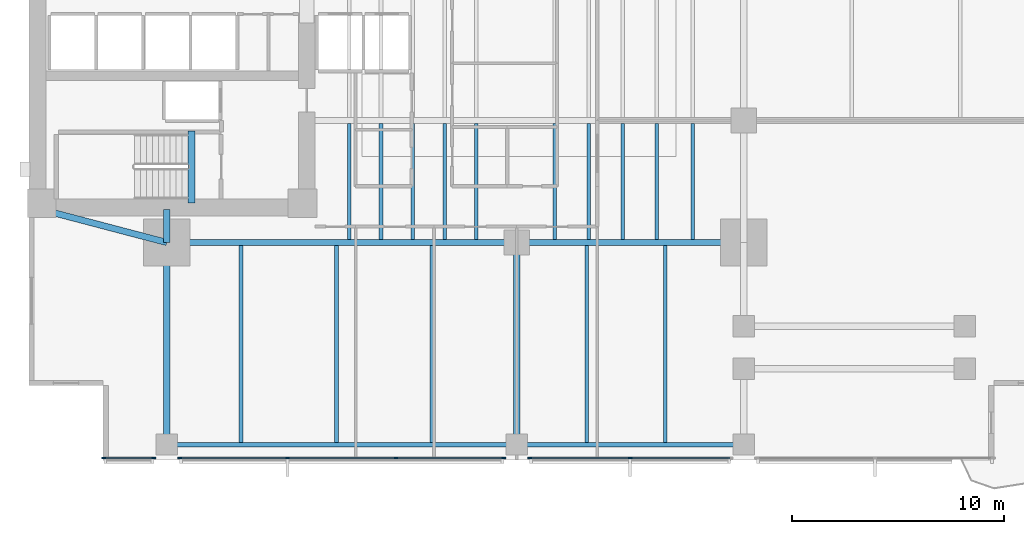
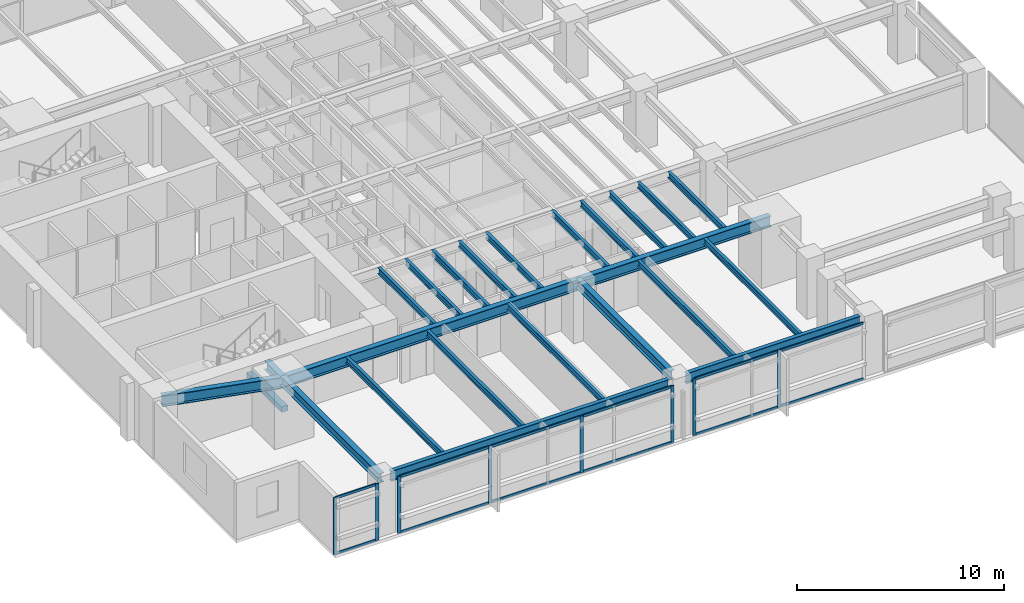
# One storey, part 2 of 15: 24 beams, 20 members, 3 elements without a shape of their own.
"""IFC4 building model written with IfcOpenShell, lengths in metres."""

from ifc_helpers import new_model, si_unit, direction, frame, origin, origin_2d, place, context, subcontext, project, spatial, rectangle, i_section, extrude, material, layer, layer_set, material_profile, profile_set, type_object, element, aggregate, save


model = new_model("IFC4")

# Units and contexts
model_context = context("Model", 3, precision=1e-05, world=origin(), true_north=direction((0.0, 1.0)))
body_context = subcontext(model_context, "Body", "Model", "MODEL_VIEW")
ifc_project = project(units=[si_unit("LENGTHUNIT", "METRE"), si_unit("AREAUNIT", "SQUARE_METRE"), si_unit("VOLUMEUNIT", "CUBIC_METRE"), si_unit("PLANEANGLEUNIT", "RADIAN"), si_unit("MASSUNIT", "GRAM", prefix="KILO")], contexts=[model_context])

# Site, building, storey
site_placement = place(None, origin())
site = spatial("IfcSite", under=ifc_project, at=site_placement, CompositionType="ELEMENT")
building_placement = place(site_placement, origin())
building = spatial("IfcBuilding", under=site, at=building_placement, Name="Kinhvarn Gate Tower", CompositionType="ELEMENT")
storey_placement = place(building_placement, frame((0.0, 0.0, 89.5)))
storey = spatial("IfcBuildingStorey", under=building, at=storey_placement, Name="L23", CompositionType="ELEMENT", Elevation=89.5)

# Beam
ifc_material_1 = material(Name="Concrete C50/60", Category="concrete")
ifc_material_profile_1 = material_profile(ifc_material_1, rectangle(XDim=0.340087890625, YDim=0.320068359375, at=origin_2d()), Name="RC 340x320")
ifc_profile_set_1 = profile_set([ifc_material_profile_1], Name="Concrete C50/60")
beam_type_1 = type_object("IfcBeamType", Name="BM-LND-500", PredefinedType="BEAM", material=ifc_profile_set_1)
beam_1_placement = place(storey_placement, frame((12.1650390625, 14.60009765625, -0.159912109375), z_axis=(0.0, 1.0, 0.0), x_axis=(-1.0, 0.0, 0.0)))
element("IfcBeam", 1, at=beam_1_placement, inside=storey, type_object=beam_type_1, Name="Stair ST1 Landing Nosing Beam (L23)", PredefinedType="BEAM", context=body_context, shape_type="SweptSolid", body=[
    extrude(rectangle(XDim=0.340087890625, YDim=0.320068359375, at=origin_2d()), origin(), (0.0, 0.0, 1.0), 3.39990234375),
])

# Curtain wall, members
ifc_material_2 = material(Name="Anodised aluminium AW-6063", Category="aluminium")
ifc_layer = layer(ifc_material_2, 0.179931640625)
ifc_layer_set = layer_set([ifc_layer], Name="Anodised aluminium AW-6063")
curtain_wall_type = type_object("IfcCurtainWallType", Name="CW-SYS-2", PredefinedType="NOTDEFINED", material=ifc_layer_set)
curtain_wall_1_placement = place(storey_placement, origin())
curtain_wall_1 = element("IfcCurtainWall", 2, at=curtain_wall_1_placement, inside=storey, type_object=curtain_wall_type, Name="Curtain Wall CW2 (L23)", PredefinedType="NOTDEFINED")
ifc_material_profile_2 = material_profile(ifc_material_2, rectangle(XDim=0.070068359375, YDim=0.179931640625, at=origin_2d()), Name="ALU 70x180")
ifc_profile_set_2 = profile_set([ifc_material_profile_2], Name="Anodised aluminium AW-6063")
member_type_1 = type_object("IfcMemberType", Name="CW-MUL-180", PredefinedType="MULLION", material=ifc_profile_set_2)
member_1_placement = place(storey_placement, frame((8.034912109375, 2.590087890625, 0.0), z_axis=(0.0, 0.0, 1.0), x_axis=(0.0, 1.0, 0.0)))
member_1 = element("IfcMember", 3, at=member_1_placement, type_object=member_type_1, Name="CW2 mullion 1", PredefinedType="MULLION", context=body_context, shape_type="SweptSolid", body=[
    extrude(rectangle(XDim=0.070068359375, YDim=0.179931640625, at=origin_2d()), origin(), (0.0, 0.0, 1.0), 3.35009765625),
])
member_2_placement = place(storey_placement, frame((10.385009765625, 2.590087890625, 0.0), z_axis=(0.0, 0.0, 1.0), x_axis=(0.0, 1.0, 0.0)))
member_2 = element("IfcMember", 4, at=member_2_placement, type_object=member_type_1, Name="CW2 mullion 2", PredefinedType="MULLION", context=body_context, shape_type="SweptSolid", body=[
    extrude(rectangle(XDim=0.070068359375, YDim=0.179931640625, at=origin_2d()), origin(), (0.0, 0.0, 1.0), 3.35009765625),
])

curtain_wall_2_placement = place(storey_placement, origin())
curtain_wall_2 = element("IfcCurtainWall", 5, at=curtain_wall_2_placement, inside=storey, type_object=curtain_wall_type, Name="Curtain Wall CW2 (L23)", PredefinedType="NOTDEFINED")
member_3_placement = place(storey_placement, frame((11.614990234375, 2.590087890625, 0.0), z_axis=(0.0, 0.0, 1.0), x_axis=(0.0, 1.0, 0.0)))
member_3 = element("IfcMember", 6, at=member_3_placement, type_object=member_type_1, Name="CW2 mullion 1", PredefinedType="MULLION", context=body_context, shape_type="SweptSolid", body=[
    extrude(rectangle(XDim=0.070068359375, YDim=0.179931640625, at=origin_2d()), origin(), (0.0, 0.0, 1.0), 3.35009765625),
])
member_4_placement = place(storey_placement, frame((16.693359375, 2.590087890625, 0.0), z_axis=(0.0, 0.0, 1.0), x_axis=(0.0, 1.0, 0.0)))
member_4 = element("IfcMember", 7, at=member_4_placement, type_object=member_type_1, Name="CW2 mullion 2", PredefinedType="MULLION", context=body_context, shape_type="SweptSolid", body=[
    extrude(rectangle(XDim=0.070068359375, YDim=0.179931640625, at=origin_2d()), origin(), (0.0, 0.0, 1.0), 3.35009765625),
])
member_5_placement = place(storey_placement, frame((21.806640625, 2.590087890625, 0.0), z_axis=(0.0, 0.0, 1.0), x_axis=(0.0, 1.0, 0.0)))
member_5 = element("IfcMember", 8, at=member_5_placement, type_object=member_type_1, Name="CW2 mullion 3", PredefinedType="MULLION", context=body_context, shape_type="SweptSolid", body=[
    extrude(rectangle(XDim=0.070068359375, YDim=0.179931640625, at=origin_2d()), origin(), (0.0, 0.0, 1.0), 3.35009765625),
])
member_6_placement = place(storey_placement, frame((26.885009765625, 2.590087890625, 0.0), z_axis=(0.0, 0.0, 1.0), x_axis=(0.0, 1.0, 0.0)))
member_6 = element("IfcMember", 9, at=member_6_placement, type_object=member_type_1, Name="CW2 mullion 4", PredefinedType="MULLION", context=body_context, shape_type="SweptSolid", body=[
    extrude(rectangle(XDim=0.070068359375, YDim=0.179931640625, at=origin_2d()), origin(), (0.0, 0.0, 1.0), 3.35009765625),
])

curtain_wall_3_placement = place(storey_placement, origin())
curtain_wall_3 = element("IfcCurtainWall", 10, at=curtain_wall_3_placement, inside=storey, type_object=curtain_wall_type, Name="Curtain Wall CW2 (L23)", PredefinedType="NOTDEFINED")
member_7_placement = place(storey_placement, frame((28.114990234375, 2.590087890625, 0.0), z_axis=(0.0, 0.0, 1.0), x_axis=(0.0, 1.0, 0.0)))
member_7 = element("IfcMember", 11, at=member_7_placement, type_object=member_type_1, Name="CW2 mullion 1", PredefinedType="MULLION", context=body_context, shape_type="SweptSolid", body=[
    extrude(rectangle(XDim=0.070068359375, YDim=0.179931640625, at=origin_2d()), origin(), (0.0, 0.0, 1.0), 3.35009765625),
])
member_8_placement = place(storey_placement, frame((32.85009765625, 2.590087890625, 0.0), z_axis=(0.0, 0.0, 1.0), x_axis=(0.0, 1.0, 0.0)))
member_8 = element("IfcMember", 12, at=member_8_placement, type_object=member_type_1, Name="CW2 mullion 2", PredefinedType="MULLION", context=body_context, shape_type="SweptSolid", body=[
    extrude(rectangle(XDim=0.070068359375, YDim=0.179931640625, at=origin_2d()), origin(), (0.0, 0.0, 1.0), 3.35009765625),
])

# Member
ifc_material_profile_3 = material_profile(ifc_material_2, rectangle(XDim=0.070068359375, YDim=0.139892578125, at=origin_2d()), Name="ALU 70x140")
ifc_profile_set_3 = profile_set([ifc_material_profile_3], Name="Anodised aluminium AW-6063")
member_type_2 = type_object("IfcMemberType", Name="CW-TRN-140", PredefinedType="USERDEFINED", material=ifc_profile_set_3)
member_9_placement = place(storey_placement, frame((8.070068359375, 2.590087890625, 0.034912109375), z_axis=(1.0, 0.0, 0.0), x_axis=(0.0, 1.0, 0.0)))
member_9 = element("IfcMember", 13, at=member_9_placement, type_object=member_type_2, Name="CW2 transom 1.1", ObjectType="TRANSOM", PredefinedType="USERDEFINED", context=body_context, shape_type="SweptSolid", body=[
    extrude(rectangle(XDim=0.070068359375, YDim=0.139892578125, at=origin_2d()), origin(), (0.0, 0.0, 1.0), 2.280029296875),
])

member_10_placement = place(storey_placement, frame((8.070068359375, 2.590087890625, 3.31494140625), z_axis=(1.0, 0.0, 0.0), x_axis=(0.0, 1.0, 0.0)))
member_10 = element("IfcMember", 14, at=member_10_placement, type_object=member_type_2, Name="CW2 transom 1.2", ObjectType="TRANSOM", PredefinedType="USERDEFINED", context=body_context, shape_type="SweptSolid", body=[
    extrude(rectangle(XDim=0.070068359375, YDim=0.139892578125, at=origin_2d()), origin(), (0.0, 0.0, 1.0), 2.280029296875),
])

aggregate(curtain_wall_1, [member_1, member_2, member_9, member_10])

member_11_placement = place(storey_placement, frame((11.64990234375, 2.590087890625, 0.034912109375), z_axis=(1.0, 0.0, 0.0), x_axis=(0.0, 1.0, 0.0)))
member_11 = element("IfcMember", 15, at=member_11_placement, type_object=member_type_2, Name="CW2 transom 1.1", ObjectType="TRANSOM", PredefinedType="USERDEFINED", context=body_context, shape_type="SweptSolid", body=[
    extrude(rectangle(XDim=0.070068359375, YDim=0.139892578125, at=origin_2d()), origin(), (0.0, 0.0, 1.0), 5.008544921875),
])

member_12_placement = place(storey_placement, frame((11.64990234375, 2.590087890625, 3.31494140625), z_axis=(1.0, 0.0, 0.0), x_axis=(0.0, 1.0, 0.0)))
member_12 = element("IfcMember", 16, at=member_12_placement, type_object=member_type_2, Name="CW2 transom 1.2", ObjectType="TRANSOM", PredefinedType="USERDEFINED", context=body_context, shape_type="SweptSolid", body=[
    extrude(rectangle(XDim=0.070068359375, YDim=0.139892578125, at=origin_2d()), origin(), (0.0, 0.0, 1.0), 5.008544921875),
])

member_13_placement = place(storey_placement, frame((16.728271484375, 2.590087890625, 0.034912109375), z_axis=(1.0, 0.0, 0.0), x_axis=(0.0, 1.0, 0.0)))
member_13 = element("IfcMember", 17, at=member_13_placement, type_object=member_type_2, Name="CW2 transom 2.1", ObjectType="TRANSOM", PredefinedType="USERDEFINED", context=body_context, shape_type="SweptSolid", body=[
    extrude(rectangle(XDim=0.070068359375, YDim=0.139892578125, at=origin_2d()), origin(), (0.0, 0.0, 1.0), 5.04345703125),
])

member_14_placement = place(storey_placement, frame((16.728271484375, 2.590087890625, 3.31494140625), z_axis=(1.0, 0.0, 0.0), x_axis=(0.0, 1.0, 0.0)))
member_14 = element("IfcMember", 18, at=member_14_placement, type_object=member_type_2, Name="CW2 transom 2.2", ObjectType="TRANSOM", PredefinedType="USERDEFINED", context=body_context, shape_type="SweptSolid", body=[
    extrude(rectangle(XDim=0.070068359375, YDim=0.139892578125, at=origin_2d()), origin(), (0.0, 0.0, 1.0), 5.04345703125),
])

member_15_placement = place(storey_placement, frame((21.841552734375, 2.590087890625, 0.034912109375), z_axis=(1.0, 0.0, 0.0), x_axis=(0.0, 1.0, 0.0)))
member_15 = element("IfcMember", 19, at=member_15_placement, type_object=member_type_2, Name="CW2 transom 3.1", ObjectType="TRANSOM", PredefinedType="USERDEFINED", context=body_context, shape_type="SweptSolid", body=[
    extrude(rectangle(XDim=0.070068359375, YDim=0.139892578125, at=origin_2d()), origin(), (0.0, 0.0, 1.0), 5.008544921875),
])

member_16_placement = place(storey_placement, frame((21.841552734375, 2.590087890625, 3.31494140625), z_axis=(1.0, 0.0, 0.0), x_axis=(0.0, 1.0, 0.0)))
member_16 = element("IfcMember", 20, at=member_16_placement, type_object=member_type_2, Name="CW2 transom 3.2", ObjectType="TRANSOM", PredefinedType="USERDEFINED", context=body_context, shape_type="SweptSolid", body=[
    extrude(rectangle(XDim=0.070068359375, YDim=0.139892578125, at=origin_2d()), origin(), (0.0, 0.0, 1.0), 5.008544921875),
])

aggregate(curtain_wall_2, [member_3, member_4, member_5, member_6, member_11, member_12, member_13, member_14, member_15, member_16])

member_17_placement = place(storey_placement, frame((28.14990234375, 2.590087890625, 0.034912109375), z_axis=(1.0, 0.0, 0.0), x_axis=(0.0, 1.0, 0.0)))
member_17 = element("IfcMember", 21, at=member_17_placement, type_object=member_type_2, Name="CW2 transom 1.1", ObjectType="TRANSOM", PredefinedType="USERDEFINED", context=body_context, shape_type="SweptSolid", body=[
    extrude(rectangle(XDim=0.070068359375, YDim=0.139892578125, at=origin_2d()), origin(), (0.0, 0.0, 1.0), 4.6650390625),
])

member_18_placement = place(storey_placement, frame((28.14990234375, 2.590087890625, 3.31494140625), z_axis=(1.0, 0.0, 0.0), x_axis=(0.0, 1.0, 0.0)))
member_18 = element("IfcMember", 22, at=member_18_placement, type_object=member_type_2, Name="CW2 transom 1.2", ObjectType="TRANSOM", PredefinedType="USERDEFINED", context=body_context, shape_type="SweptSolid", body=[
    extrude(rectangle(XDim=0.070068359375, YDim=0.139892578125, at=origin_2d()), origin(), (0.0, 0.0, 1.0), 4.6650390625),
])

member_19_placement = place(storey_placement, frame((32.885009765625, 2.590087890625, 0.034912109375), z_axis=(1.0, 0.0, 0.0), x_axis=(0.0, 1.0, 0.0)))
member_19 = element("IfcMember", 23, at=member_19_placement, type_object=member_type_2, Name="CW2 transom 2.1", ObjectType="TRANSOM", PredefinedType="USERDEFINED", context=body_context, shape_type="SweptSolid", body=[
    extrude(rectangle(XDim=0.070068359375, YDim=0.139892578125, at=origin_2d()), origin(), (0.0, 0.0, 1.0), 4.6650390625),
])

member_20_placement = place(storey_placement, frame((32.885009765625, 2.590087890625, 3.31494140625), z_axis=(1.0, 0.0, 0.0), x_axis=(0.0, 1.0, 0.0)))
member_20 = element("IfcMember", 24, at=member_20_placement, type_object=member_type_2, Name="CW2 transom 2.2", ObjectType="TRANSOM", PredefinedType="USERDEFINED", context=body_context, shape_type="SweptSolid", body=[
    extrude(rectangle(XDim=0.070068359375, YDim=0.139892578125, at=origin_2d()), origin(), (0.0, 0.0, 1.0), 4.6650390625),
])

aggregate(curtain_wall_3, [member_7, member_8, member_17, member_18, member_19, member_20])

# Beams
ifc_material_3 = material(Name="Steel S355", Category="steel")
ifc_material_profile_4 = material_profile(ifc_material_3, i_section(OverallWidth=0.300048828125, OverallDepth=0.550048828125, WebThickness=0.014892578125, FlangeThickness=0.029052734375, at=origin_2d()), Name="HEB 550")
ifc_profile_set_4 = profile_set([ifc_material_profile_4], Name="Steel S355")
beam_type_2 = type_object("IfcBeamType", Name="STL-HEB550", PredefinedType="BEAM", material=ifc_profile_set_4)
beam_2_placement = place(storey_placement, frame((11.0, 3.219970703125, 3.074951171875), z_axis=(0.0, 1.0, 0.0), x_axis=(-1.0, 0.0, 0.0)))
element("IfcBeam", 25, at=beam_2_placement, inside=storey, type_object=beam_type_2, Name="Floor Beam PG-15 (L23 MCW-S)", PredefinedType="BEAM", context=body_context, shape_type="SweptSolid", body=[
    extrude(i_section(OverallWidth=0.300048828125, OverallDepth=0.550048828125, WebThickness=0.014892578125, FlangeThickness=0.029052734375, at=origin_2d()), origin(), (0.0, 0.0, 1.0), 9.530029296875),
])
beam_3_placement = place(storey_placement, frame((11.0, 12.75, 3.074951171875), z_axis=(0.0, 1.0, 0.0), x_axis=(-1.0, 0.0, 0.0)))
element("IfcBeam", 26, at=beam_3_placement, inside=storey, type_object=beam_type_2, Name="Floor Beam PG-15 (L23 MCW-CS)", PredefinedType="BEAM", context=body_context, shape_type="SweptSolid", body=[
    extrude(i_section(OverallWidth=0.300048828125, OverallDepth=0.550048828125, WebThickness=0.014892578125, FlangeThickness=0.029052734375, at=origin_2d()), origin(), (0.0, 0.0, 1.0), 1.550048828125),
])
beam_4_placement = place(storey_placement, frame((27.5, 3.705078125, 3.074951171875), z_axis=(0.0, 1.0, 0.0), x_axis=(-1.0, 0.0, 0.0)))
element("IfcBeam", 27, at=beam_4_placement, inside=storey, type_object=beam_type_2, Name="Floor Beam PG-15 (L23 SP27-S-TIE)", PredefinedType="BEAM", context=body_context, shape_type="SweptSolid", body=[
    extrude(i_section(OverallWidth=0.300048828125, OverallDepth=0.550048828125, WebThickness=0.014892578125, FlangeThickness=0.029052734375, at=origin_2d()), origin(), (0.0, 0.0, 1.0), 9.044921875),
])
ifc_material_profile_5 = material_profile(ifc_material_3, i_section(OverallWidth=0.300048828125, OverallDepth=0.64990234375, WebThickness=0.01611328125, FlangeThickness=0.031005859375, at=origin_2d()), Name="HEB 650")
ifc_profile_set_5 = profile_set([ifc_material_profile_5], Name="Steel S355")
beam_type_3 = type_object("IfcBeamType", Name="STL-HEB650", PredefinedType="BEAM", material=ifc_profile_set_5)
beam_5_placement = place(storey_placement, frame((11.0, 12.75, 3.02490234375), z_axis=(1.0, 0.0, 0.0), x_axis=(0.0, 1.0, 0.0)))
element("IfcBeam", 28, at=beam_5_placement, inside=storey, type_object=beam_type_3, Name="Floor Beam PG-17 (L23 MG-S1)", PredefinedType="BEAM", context=body_context, shape_type="SweptSolid", body=[
    extrude(i_section(OverallWidth=0.300048828125, OverallDepth=0.64990234375, WebThickness=0.01611328125, FlangeThickness=0.031005859375, at=origin_2d()), origin(), (0.0, 0.0, 1.0), 16.5),
])
beam_6_placement = place(storey_placement, frame((27.5, 12.75, 3.02490234375), z_axis=(1.0, 0.0, 0.0), x_axis=(0.0, 1.0, 0.0)))
element("IfcBeam", 29, at=beam_6_placement, inside=storey, type_object=beam_type_3, Name="Floor Beam PG-17 (L23 MG-S2)", PredefinedType="BEAM", context=body_context, shape_type="SweptSolid", body=[
    extrude(i_section(OverallWidth=0.300048828125, OverallDepth=0.64990234375, WebThickness=0.01611328125, FlangeThickness=0.031005859375, at=origin_2d()), origin(), (0.0, 0.0, 1.0), 10.699951171875),
])
beam_7_placement = place(storey_placement, frame((5.10009765625, 14.300048828125, 3.02490234375), z_axis=(0.967177623957, -0.254101246979, 0.0), x_axis=(0.254101246979, 0.967177623957, 0.0)))
element("IfcBeam", 30, at=beam_7_placement, inside=storey, type_object=beam_type_3, Name="Floor Beam PG-17 (L23 MG-SW-DIAG)", PredefinedType="BEAM", context=body_context, shape_type="SweptSolid", body=[
    extrude(i_section(OverallWidth=0.300048828125, OverallDepth=0.64990234375, WebThickness=0.01611328125, FlangeThickness=0.031005859375, at=origin_2d()), origin(), (0.0, 0.0, 1.0), 6.10009765625),
])
ifc_material_profile_6 = material_profile(ifc_material_3, i_section(OverallWidth=0.169921875, OverallDepth=0.360107421875, WebThickness=0.008056640625, FlangeThickness=0.0126953125, at=origin_2d()), Name="IPE 360")
ifc_profile_set_6 = profile_set([ifc_material_profile_6], Name="Steel S355")
beam_type_4 = type_object("IfcBeamType", Name="STL-IPE360", PredefinedType="JOIST", material=ifc_profile_set_6)
for number, where, z_axis, x_axis, name in (
    (31, (19.60009765625, 12.89990234375, 3.169921875), (0.0, 1.0, 0.0), (-1.0, 0.0, 0.0), "Floor Joist SB-04 (L23 JC-X196-0)"),
    (32, (21.10009765625, 12.89990234375, 3.169921875), (0.0, 1.0, 0.0), (-1.0, 0.0, 0.0), "Floor Joist SB-04 (L23 JC-X211-0)"),
    (33, (22.60009765625, 12.89990234375, 3.169921875), (0.0, 1.0, 0.0), (-1.0, 0.0, 0.0), "Floor Joist SB-04 (L23 JC-X226-0)"),
    (34, (24.10009765625, 12.89990234375, 3.169921875), (0.0, 1.0, 0.0), (-1.0, 0.0, 0.0), "Floor Joist SB-04 (L23 JC-X241-0)"),
    (35, (25.60009765625, 12.89990234375, 3.169921875), (0.0, 1.0, 0.0), (-1.0, 0.0, 0.0), "Floor Joist SB-04 (L23 JC-X256-0)"),
    (36, (29.300048828125, 12.89990234375, 3.169921875), (0.0, 1.0, 0.0), (-1.0, 0.0, 0.0), "Floor Joist SB-04 (L23 JC-X293-0)"),
    (37, (30.89990234375, 12.89990234375, 3.169921875), (0.0, 1.0, 0.0), (-1.0, 0.0, 0.0), "Floor Joist SB-04 (L23 JC-X309-0)"),
    (38, (32.5, 12.89990234375, 3.169921875), (0.0, 1.0, 0.0), (-1.0, 0.0, 0.0), "Floor Joist SB-04 (L23 JC-X325-0)"),
    (39, (34.10009765625, 12.89990234375, 3.169921875), (0.0, 1.0, 0.0), (-1.0, 0.0, 0.0), "Floor Joist SB-04 (L23 JC-X341-0)"),
    (40, (35.800048828125, 12.89990234375, 3.169921875), (0.0, 1.0, 0.0), (-1.0, 0.0, 0.0), "Floor Joist SB-04 (L23 JC-X358-0)"),
):
    element("IfcBeam", number, at=place(storey_placement, frame(where, z_axis=z_axis, x_axis=x_axis)), inside=storey, type_object=beam_type_4, Name=name, PredefinedType="JOIST", context=body_context, shape_type="SweptSolid", body=[
        extrude(i_section(OverallWidth=0.169921875, OverallDepth=0.360107421875, WebThickness=0.008056640625, FlangeThickness=0.0126953125, at=origin_2d()), origin(), (0.0, 0.0, 1.0), 5.4501953125),
    ])
for number, where, z_axis, x_axis, name in (
    (41, (14.5, 3.330078125, 3.169921875), (0.0, 1.0, 0.0), (-1.0, 0.0, 0.0), "Floor Joist SB-04 (L23 JS-X145)"),
    (42, (19.0, 3.330078125, 3.169921875), (0.0, 1.0, 0.0), (-1.0, 0.0, 0.0), "Floor Joist SB-04 (L23 JS-X190)"),
    (43, (23.5, 3.330078125, 3.169921875), (0.0, 1.0, 0.0), (-1.0, 0.0, 0.0), "Floor Joist SB-04 (L23 JS-X235)"),
    (44, (30.800048828125, 3.330078125, 3.169921875), (0.0, 1.0, 0.0), (-1.0, 0.0, 0.0), "Floor Joist SB-04 (L23 JS-X308)"),
    (45, (34.5, 3.330078125, 3.169921875), (0.0, 1.0, 0.0), (-1.0, 0.0, 0.0), "Floor Joist SB-04 (L23 JS-X345)"),
):
    element("IfcBeam", number, at=place(storey_placement, frame(where, z_axis=z_axis, x_axis=x_axis)), inside=storey, type_object=beam_type_4, Name=name, PredefinedType="JOIST", context=body_context, shape_type="SweptSolid", body=[
        extrude(i_section(OverallWidth=0.169921875, OverallDepth=0.360107421875, WebThickness=0.008056640625, FlangeThickness=0.0126953125, at=origin_2d()), origin(), (0.0, 0.0, 1.0), 9.27001953125),
    ])
ifc_material_profile_7 = material_profile(ifc_material_3, i_section(OverallWidth=0.219970703125, OverallDepth=0.60009765625, WebThickness=0.011962890625, FlangeThickness=0.01904296875, at=origin_2d()), Name="IPE 600")
ifc_profile_set_7 = profile_set([ifc_material_profile_7], Name="Steel S355")
beam_type_5 = type_object("IfcBeamType", Name="STL-IPE600", PredefinedType="SPANDREL", material=ifc_profile_set_7)
beam_8_placement = place(storey_placement, frame((11.485107421875, 3.219970703125, 3.050048828125), z_axis=(1.0, 0.0, 0.0), x_axis=(0.0, 1.0, 0.0)))
element("IfcBeam", 46, at=beam_8_placement, inside=storey, type_object=beam_type_5, Name="Floor Spandrel SB-09 (L23 SP-S1)", PredefinedType="SPANDREL", context=body_context, shape_type="SweptSolid", body=[
    extrude(i_section(OverallWidth=0.219970703125, OverallDepth=0.60009765625, WebThickness=0.011962890625, FlangeThickness=0.01904296875, at=origin_2d()), origin(), (0.0, 0.0, 1.0), 15.52978515625),
])
beam_9_placement = place(storey_placement, frame((27.985107421875, 3.219970703125, 3.050048828125), z_axis=(1.0, 0.0, 0.0), x_axis=(0.0, 1.0, 0.0)))
element("IfcBeam", 47, at=beam_9_placement, inside=storey, type_object=beam_type_5, Name="Floor Spandrel SB-09 (L23 SP-S2)", PredefinedType="SPANDREL", context=body_context, shape_type="SweptSolid", body=[
    extrude(i_section(OverallWidth=0.219970703125, OverallDepth=0.60009765625, WebThickness=0.011962890625, FlangeThickness=0.01904296875, at=origin_2d()), origin(), (0.0, 0.0, 1.0), 9.72998046875),
])

save(model, "model.ifc")
